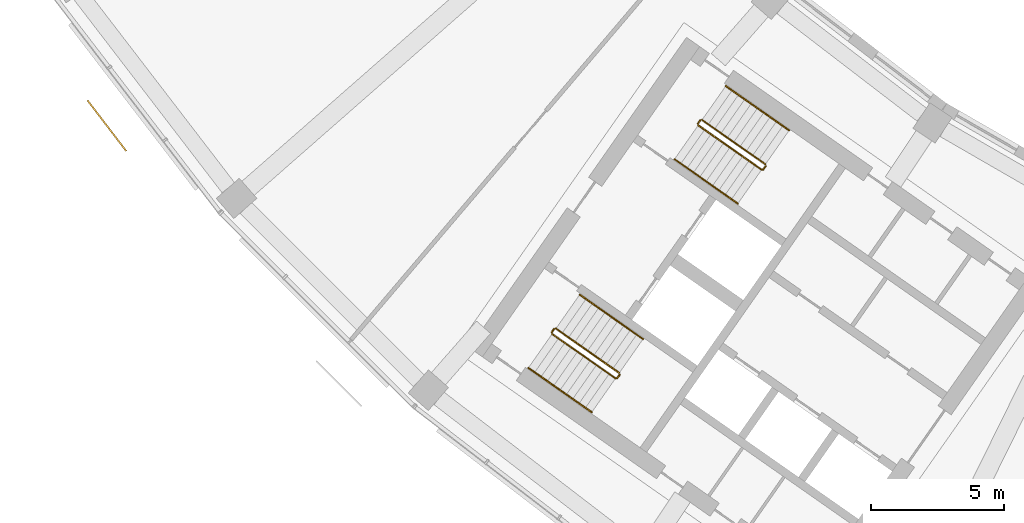
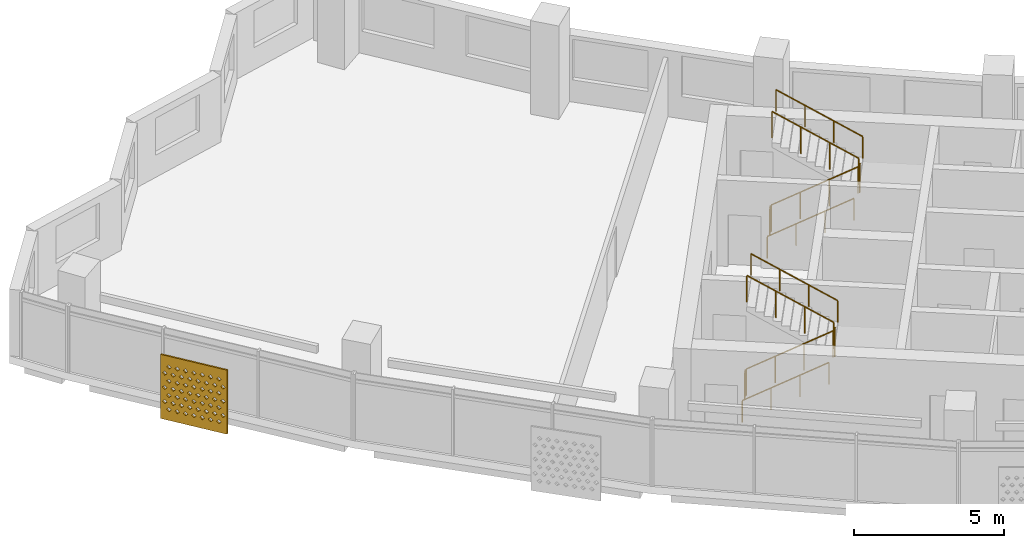
# One storey, part 24 of 28: 10 railings, 1 shading device.
"""IFC4 building model written with IfcOpenShell, lengths in metres."""

from ifc_helpers import new_model, si_unit, direction, frame, origin, origin_2d, place, context, subcontext, project, spatial, polyline, circle, outline, extrude, material, material_profile, profile_set, type_object, element, save


model = new_model("IFC4")

# Units and contexts
model_context = context("Model", 3, precision=1e-05, world=origin(), true_north=direction((0.0, 1.0)))
body_context = subcontext(model_context, "Body", "Model", "MODEL_VIEW")
ifc_project = project(units=[si_unit("LENGTHUNIT", "METRE"), si_unit("AREAUNIT", "SQUARE_METRE"), si_unit("VOLUMEUNIT", "CUBIC_METRE"), si_unit("PLANEANGLEUNIT", "RADIAN"), si_unit("MASSUNIT", "GRAM", prefix="KILO")], contexts=[model_context])

# Site, building, storey
site_placement = place(None, origin())
site = spatial("IfcSite", under=ifc_project, at=site_placement, CompositionType="ELEMENT")
building_placement = place(site_placement, origin())
building = spatial("IfcBuilding", under=site, at=building_placement, Name="Qamariyya Broadcast Tower", CompositionType="ELEMENT")
storey_placement = place(building_placement, frame((0.0, 0.0, 215.10009765625)))
storey = spatial("IfcBuildingStorey", under=building, at=storey_placement, Name="L51", CompositionType="ELEMENT", Elevation=215.10009765625)

# Shading device
ifc_material_1 = material(Name="Perforated glazed terracotta", Category="masonry")
ifc_material_profile = material_profile(ifc_material_1, outline(polyline([(-1.199951171875, -1.300048828125), (1.199951171875, -1.300048828125), (1.199951171875, 1.300048828125), (-1.199951171875, 1.300048828125), (-1.199951171875, -1.300048828125)]), holes=[polyline([(-0.81494140625, -0.86669921875), (-0.89990234375, -0.78173828125), (-0.985107421875, -0.86669921875), (-0.89990234375, -0.95166015625), (-0.81494140625, -0.86669921875)]), polyline([(-0.514892578125, -0.86669921875), (-0.60009765625, -0.78173828125), (-0.68505859375, -0.86669921875), (-0.60009765625, -0.95166015625), (-0.514892578125, -0.86669921875)]), polyline([(-0.215087890625, -0.86669921875), (-0.300048828125, -0.78173828125), (-0.385009765625, -0.86669921875), (-0.300048828125, -0.95166015625), (-0.215087890625, -0.86669921875)]), polyline([(0.0849609375, -0.86669921875), (0.0, -0.78173828125), (-0.0849609375, -0.86669921875), (0.0, -0.95166015625), (0.0849609375, -0.86669921875)]), polyline([(0.385009765625, -0.86669921875), (0.300048828125, -0.78173828125), (0.215087890625, -0.86669921875), (0.300048828125, -0.95166015625), (0.385009765625, -0.86669921875)]), polyline([(0.68505859375, -0.86669921875), (0.60009765625, -0.78173828125), (0.514892578125, -0.86669921875), (0.60009765625, -0.95166015625), (0.68505859375, -0.86669921875)]), polyline([(0.985107421875, -0.86669921875), (0.89990234375, -0.78173828125), (0.81494140625, -0.86669921875), (0.89990234375, -0.95166015625), (0.985107421875, -0.86669921875)]), polyline([(-0.965087890625, -0.577880859375), (-1.050048828125, -0.49267578125), (-1.135009765625, -0.577880859375), (-1.050048828125, -0.662841796875), (-0.965087890625, -0.577880859375)]), polyline([(-0.6650390625, -0.577880859375), (-0.75, -0.49267578125), (-0.8349609375, -0.577880859375), (-0.75, -0.662841796875), (-0.6650390625, -0.577880859375)]), polyline([(-0.364990234375, -0.577880859375), (-0.449951171875, -0.49267578125), (-0.534912109375, -0.577880859375), (-0.449951171875, -0.662841796875), (-0.364990234375, -0.577880859375)]), polyline([(-0.06494140625, -0.577880859375), (-0.14990234375, -0.49267578125), (-0.235107421875, -0.577880859375), (-0.14990234375, -0.662841796875), (-0.06494140625, -0.577880859375)]), polyline([(0.235107421875, -0.577880859375), (0.14990234375, -0.49267578125), (0.06494140625, -0.577880859375), (0.14990234375, -0.662841796875), (0.235107421875, -0.577880859375)]), polyline([(0.534912109375, -0.577880859375), (0.449951171875, -0.49267578125), (0.364990234375, -0.577880859375), (0.449951171875, -0.662841796875), (0.534912109375, -0.577880859375)]), polyline([(0.8349609375, -0.577880859375), (0.75, -0.49267578125), (0.6650390625, -0.577880859375), (0.75, -0.662841796875), (0.8349609375, -0.577880859375)]), polyline([(1.135009765625, -0.577880859375), (1.050048828125, -0.49267578125), (0.965087890625, -0.577880859375), (1.050048828125, -0.662841796875), (1.135009765625, -0.577880859375)]), polyline([(-0.81494140625, -0.288818359375), (-0.89990234375, -0.203857421875), (-0.985107421875, -0.288818359375), (-0.89990234375, -0.373779296875), (-0.81494140625, -0.288818359375)]), polyline([(-0.514892578125, -0.288818359375), (-0.60009765625, -0.203857421875), (-0.68505859375, -0.288818359375), (-0.60009765625, -0.373779296875), (-0.514892578125, -0.288818359375)]), polyline([(-0.215087890625, -0.288818359375), (-0.300048828125, -0.203857421875), (-0.385009765625, -0.288818359375), (-0.300048828125, -0.373779296875), (-0.215087890625, -0.288818359375)]), polyline([(0.0849609375, -0.288818359375), (0.0, -0.203857421875), (-0.0849609375, -0.288818359375), (0.0, -0.373779296875), (0.0849609375, -0.288818359375)]), polyline([(0.385009765625, -0.288818359375), (0.300048828125, -0.203857421875), (0.215087890625, -0.288818359375), (0.300048828125, -0.373779296875), (0.385009765625, -0.288818359375)]), polyline([(0.68505859375, -0.288818359375), (0.60009765625, -0.203857421875), (0.514892578125, -0.288818359375), (0.60009765625, -0.373779296875), (0.68505859375, -0.288818359375)]), polyline([(0.985107421875, -0.288818359375), (0.89990234375, -0.203857421875), (0.81494140625, -0.288818359375), (0.89990234375, -0.373779296875), (0.985107421875, -0.288818359375)]), polyline([(-0.965087890625, 0.0), (-1.050048828125, 0.0849609375), (-1.135009765625, 0.0), (-1.050048828125, -0.0849609375), (-0.965087890625, 0.0)]), polyline([(-0.6650390625, 0.0), (-0.75, 0.0849609375), (-0.8349609375, 0.0), (-0.75, -0.0849609375), (-0.6650390625, 0.0)]), polyline([(-0.364990234375, 0.0), (-0.449951171875, 0.0849609375), (-0.534912109375, 0.0), (-0.449951171875, -0.0849609375), (-0.364990234375, 0.0)]), polyline([(-0.06494140625, 0.0), (-0.14990234375, 0.0849609375), (-0.235107421875, 0.0), (-0.14990234375, -0.0849609375), (-0.06494140625, 0.0)]), polyline([(0.235107421875, 0.0), (0.14990234375, 0.0849609375), (0.06494140625, 0.0), (0.14990234375, -0.0849609375), (0.235107421875, 0.0)]), polyline([(0.534912109375, 0.0), (0.449951171875, 0.0849609375), (0.364990234375, 0.0), (0.449951171875, -0.0849609375), (0.534912109375, 0.0)]), polyline([(0.8349609375, 0.0), (0.75, 0.0849609375), (0.6650390625, 0.0), (0.75, -0.0849609375), (0.8349609375, 0.0)]), polyline([(1.135009765625, 0.0), (1.050048828125, 0.0849609375), (0.965087890625, 0.0), (1.050048828125, -0.0849609375), (1.135009765625, 0.0)]), polyline([(-0.81494140625, 0.288818359375), (-0.89990234375, 0.373779296875), (-0.985107421875, 0.288818359375), (-0.89990234375, 0.203857421875), (-0.81494140625, 0.288818359375)]), polyline([(-0.514892578125, 0.288818359375), (-0.60009765625, 0.373779296875), (-0.68505859375, 0.288818359375), (-0.60009765625, 0.203857421875), (-0.514892578125, 0.288818359375)]), polyline([(-0.215087890625, 0.288818359375), (-0.300048828125, 0.373779296875), (-0.385009765625, 0.288818359375), (-0.300048828125, 0.203857421875), (-0.215087890625, 0.288818359375)]), polyline([(0.0849609375, 0.288818359375), (0.0, 0.373779296875), (-0.0849609375, 0.288818359375), (0.0, 0.203857421875), (0.0849609375, 0.288818359375)]), polyline([(0.385009765625, 0.288818359375), (0.300048828125, 0.373779296875), (0.215087890625, 0.288818359375), (0.300048828125, 0.203857421875), (0.385009765625, 0.288818359375)]), polyline([(0.68505859375, 0.288818359375), (0.60009765625, 0.373779296875), (0.514892578125, 0.288818359375), (0.60009765625, 0.203857421875), (0.68505859375, 0.288818359375)]), polyline([(0.985107421875, 0.288818359375), (0.89990234375, 0.373779296875), (0.81494140625, 0.288818359375), (0.89990234375, 0.203857421875), (0.985107421875, 0.288818359375)]), polyline([(-0.965087890625, 0.577880859375), (-1.050048828125, 0.662841796875), (-1.135009765625, 0.577880859375), (-1.050048828125, 0.49267578125), (-0.965087890625, 0.577880859375)]), polyline([(-0.6650390625, 0.577880859375), (-0.75, 0.662841796875), (-0.8349609375, 0.577880859375), (-0.75, 0.49267578125), (-0.6650390625, 0.577880859375)]), polyline([(-0.364990234375, 0.577880859375), (-0.449951171875, 0.662841796875), (-0.534912109375, 0.577880859375), (-0.449951171875, 0.49267578125), (-0.364990234375, 0.577880859375)]), polyline([(-0.06494140625, 0.577880859375), (-0.14990234375, 0.662841796875), (-0.235107421875, 0.577880859375), (-0.14990234375, 0.49267578125), (-0.06494140625, 0.577880859375)]), polyline([(0.235107421875, 0.577880859375), (0.14990234375, 0.662841796875), (0.06494140625, 0.577880859375), (0.14990234375, 0.49267578125), (0.235107421875, 0.577880859375)]), polyline([(0.534912109375, 0.577880859375), (0.449951171875, 0.662841796875), (0.364990234375, 0.577880859375), (0.449951171875, 0.49267578125), (0.534912109375, 0.577880859375)]), polyline([(0.8349609375, 0.577880859375), (0.75, 0.662841796875), (0.6650390625, 0.577880859375), (0.75, 0.49267578125), (0.8349609375, 0.577880859375)]), polyline([(1.135009765625, 0.577880859375), (1.050048828125, 0.662841796875), (0.965087890625, 0.577880859375), (1.050048828125, 0.49267578125), (1.135009765625, 0.577880859375)]), polyline([(-0.81494140625, 0.86669921875), (-0.89990234375, 0.95166015625), (-0.985107421875, 0.86669921875), (-0.89990234375, 0.78173828125), (-0.81494140625, 0.86669921875)]), polyline([(-0.514892578125, 0.86669921875), (-0.60009765625, 0.95166015625), (-0.68505859375, 0.86669921875), (-0.60009765625, 0.78173828125), (-0.514892578125, 0.86669921875)]), polyline([(-0.215087890625, 0.86669921875), (-0.300048828125, 0.95166015625), (-0.385009765625, 0.86669921875), (-0.300048828125, 0.78173828125), (-0.215087890625, 0.86669921875)]), polyline([(0.0849609375, 0.86669921875), (0.0, 0.95166015625), (-0.0849609375, 0.86669921875), (0.0, 0.78173828125), (0.0849609375, 0.86669921875)]), polyline([(0.385009765625, 0.86669921875), (0.300048828125, 0.95166015625), (0.215087890625, 0.86669921875), (0.300048828125, 0.78173828125), (0.385009765625, 0.86669921875)]), polyline([(0.68505859375, 0.86669921875), (0.60009765625, 0.95166015625), (0.514892578125, 0.86669921875), (0.60009765625, 0.78173828125), (0.68505859375, 0.86669921875)]), polyline([(0.985107421875, 0.86669921875), (0.89990234375, 0.95166015625), (0.81494140625, 0.86669921875), (0.89990234375, 0.78173828125), (0.985107421875, 0.86669921875)])]))
ifc_profile_set = profile_set([ifc_material_profile], Name="Perforated glazed terracotta")
shading_device_type = type_object("IfcShadingDeviceType", Name="Perforated terracotta screen 2400 x 2600", PredefinedType="USERDEFINED", material=ifc_profile_set)
shading_device_placement = place(storey_placement, frame((-63.293212890625, -48.521240234375, 1.349853515625), z_axis=(-0.794589096806, -0.607147566278, 0.0), x_axis=(0.607147566278, -0.794589096806, 0.0)))
element("IfcShadingDevice", 1, at=shading_device_placement, inside=storey, type_object=shading_device_type, Name="e-scr-L51-01-1", ObjectType="SCREEN", PredefinedType="USERDEFINED", context=body_context, shape_type="SweptSolid", body=[
    extrude(outline(polyline([(-1.199951171875, -1.300048828125), (1.199951171875, -1.300048828125), (1.199951171875, 1.300048828125), (-1.199951171875, 1.300048828125), (-1.199951171875, -1.300048828125)]), holes=[polyline([(-0.81494140625, -0.86669921875), (-0.89990234375, -0.78173828125), (-0.985107421875, -0.86669921875), (-0.89990234375, -0.95166015625), (-0.81494140625, -0.86669921875)]), polyline([(-0.514892578125, -0.86669921875), (-0.60009765625, -0.78173828125), (-0.68505859375, -0.86669921875), (-0.60009765625, -0.95166015625), (-0.514892578125, -0.86669921875)]), polyline([(-0.215087890625, -0.86669921875), (-0.300048828125, -0.78173828125), (-0.385009765625, -0.86669921875), (-0.300048828125, -0.95166015625), (-0.215087890625, -0.86669921875)]), polyline([(0.0849609375, -0.86669921875), (0.0, -0.78173828125), (-0.0849609375, -0.86669921875), (0.0, -0.95166015625), (0.0849609375, -0.86669921875)]), polyline([(0.385009765625, -0.86669921875), (0.300048828125, -0.78173828125), (0.215087890625, -0.86669921875), (0.300048828125, -0.95166015625), (0.385009765625, -0.86669921875)]), polyline([(0.68505859375, -0.86669921875), (0.60009765625, -0.78173828125), (0.514892578125, -0.86669921875), (0.60009765625, -0.95166015625), (0.68505859375, -0.86669921875)]), polyline([(0.985107421875, -0.86669921875), (0.89990234375, -0.78173828125), (0.81494140625, -0.86669921875), (0.89990234375, -0.95166015625), (0.985107421875, -0.86669921875)]), polyline([(-0.965087890625, -0.577880859375), (-1.050048828125, -0.49267578125), (-1.135009765625, -0.577880859375), (-1.050048828125, -0.662841796875), (-0.965087890625, -0.577880859375)]), polyline([(-0.6650390625, -0.577880859375), (-0.75, -0.49267578125), (-0.8349609375, -0.577880859375), (-0.75, -0.662841796875), (-0.6650390625, -0.577880859375)]), polyline([(-0.364990234375, -0.577880859375), (-0.449951171875, -0.49267578125), (-0.534912109375, -0.577880859375), (-0.449951171875, -0.662841796875), (-0.364990234375, -0.577880859375)]), polyline([(-0.06494140625, -0.577880859375), (-0.14990234375, -0.49267578125), (-0.235107421875, -0.577880859375), (-0.14990234375, -0.662841796875), (-0.06494140625, -0.577880859375)]), polyline([(0.235107421875, -0.577880859375), (0.14990234375, -0.49267578125), (0.06494140625, -0.577880859375), (0.14990234375, -0.662841796875), (0.235107421875, -0.577880859375)]), polyline([(0.534912109375, -0.577880859375), (0.449951171875, -0.49267578125), (0.364990234375, -0.577880859375), (0.449951171875, -0.662841796875), (0.534912109375, -0.577880859375)]), polyline([(0.8349609375, -0.577880859375), (0.75, -0.49267578125), (0.6650390625, -0.577880859375), (0.75, -0.662841796875), (0.8349609375, -0.577880859375)]), polyline([(1.135009765625, -0.577880859375), (1.050048828125, -0.49267578125), (0.965087890625, -0.577880859375), (1.050048828125, -0.662841796875), (1.135009765625, -0.577880859375)]), polyline([(-0.81494140625, -0.288818359375), (-0.89990234375, -0.203857421875), (-0.985107421875, -0.288818359375), (-0.89990234375, -0.373779296875), (-0.81494140625, -0.288818359375)]), polyline([(-0.514892578125, -0.288818359375), (-0.60009765625, -0.203857421875), (-0.68505859375, -0.288818359375), (-0.60009765625, -0.373779296875), (-0.514892578125, -0.288818359375)]), polyline([(-0.215087890625, -0.288818359375), (-0.300048828125, -0.203857421875), (-0.385009765625, -0.288818359375), (-0.300048828125, -0.373779296875), (-0.215087890625, -0.288818359375)]), polyline([(0.0849609375, -0.288818359375), (0.0, -0.203857421875), (-0.0849609375, -0.288818359375), (0.0, -0.373779296875), (0.0849609375, -0.288818359375)]), polyline([(0.385009765625, -0.288818359375), (0.300048828125, -0.203857421875), (0.215087890625, -0.288818359375), (0.300048828125, -0.373779296875), (0.385009765625, -0.288818359375)]), polyline([(0.68505859375, -0.288818359375), (0.60009765625, -0.203857421875), (0.514892578125, -0.288818359375), (0.60009765625, -0.373779296875), (0.68505859375, -0.288818359375)]), polyline([(0.985107421875, -0.288818359375), (0.89990234375, -0.203857421875), (0.81494140625, -0.288818359375), (0.89990234375, -0.373779296875), (0.985107421875, -0.288818359375)]), polyline([(-0.965087890625, 0.0), (-1.050048828125, 0.0849609375), (-1.135009765625, 0.0), (-1.050048828125, -0.0849609375), (-0.965087890625, 0.0)]), polyline([(-0.6650390625, 0.0), (-0.75, 0.0849609375), (-0.8349609375, 0.0), (-0.75, -0.0849609375), (-0.6650390625, 0.0)]), polyline([(-0.364990234375, 0.0), (-0.449951171875, 0.0849609375), (-0.534912109375, 0.0), (-0.449951171875, -0.0849609375), (-0.364990234375, 0.0)]), polyline([(-0.06494140625, 0.0), (-0.14990234375, 0.0849609375), (-0.235107421875, 0.0), (-0.14990234375, -0.0849609375), (-0.06494140625, 0.0)]), polyline([(0.235107421875, 0.0), (0.14990234375, 0.0849609375), (0.06494140625, 0.0), (0.14990234375, -0.0849609375), (0.235107421875, 0.0)]), polyline([(0.534912109375, 0.0), (0.449951171875, 0.0849609375), (0.364990234375, 0.0), (0.449951171875, -0.0849609375), (0.534912109375, 0.0)]), polyline([(0.8349609375, 0.0), (0.75, 0.0849609375), (0.6650390625, 0.0), (0.75, -0.0849609375), (0.8349609375, 0.0)]), polyline([(1.135009765625, 0.0), (1.050048828125, 0.0849609375), (0.965087890625, 0.0), (1.050048828125, -0.0849609375), (1.135009765625, 0.0)]), polyline([(-0.81494140625, 0.288818359375), (-0.89990234375, 0.373779296875), (-0.985107421875, 0.288818359375), (-0.89990234375, 0.203857421875), (-0.81494140625, 0.288818359375)]), polyline([(-0.514892578125, 0.288818359375), (-0.60009765625, 0.373779296875), (-0.68505859375, 0.288818359375), (-0.60009765625, 0.203857421875), (-0.514892578125, 0.288818359375)]), polyline([(-0.215087890625, 0.288818359375), (-0.300048828125, 0.373779296875), (-0.385009765625, 0.288818359375), (-0.300048828125, 0.203857421875), (-0.215087890625, 0.288818359375)]), polyline([(0.0849609375, 0.288818359375), (0.0, 0.373779296875), (-0.0849609375, 0.288818359375), (0.0, 0.203857421875), (0.0849609375, 0.288818359375)]), polyline([(0.385009765625, 0.288818359375), (0.300048828125, 0.373779296875), (0.215087890625, 0.288818359375), (0.300048828125, 0.203857421875), (0.385009765625, 0.288818359375)]), polyline([(0.68505859375, 0.288818359375), (0.60009765625, 0.373779296875), (0.514892578125, 0.288818359375), (0.60009765625, 0.203857421875), (0.68505859375, 0.288818359375)]), polyline([(0.985107421875, 0.288818359375), (0.89990234375, 0.373779296875), (0.81494140625, 0.288818359375), (0.89990234375, 0.203857421875), (0.985107421875, 0.288818359375)]), polyline([(-0.965087890625, 0.577880859375), (-1.050048828125, 0.662841796875), (-1.135009765625, 0.577880859375), (-1.050048828125, 0.49267578125), (-0.965087890625, 0.577880859375)]), polyline([(-0.6650390625, 0.577880859375), (-0.75, 0.662841796875), (-0.8349609375, 0.577880859375), (-0.75, 0.49267578125), (-0.6650390625, 0.577880859375)]), polyline([(-0.364990234375, 0.577880859375), (-0.449951171875, 0.662841796875), (-0.534912109375, 0.577880859375), (-0.449951171875, 0.49267578125), (-0.364990234375, 0.577880859375)]), polyline([(-0.06494140625, 0.577880859375), (-0.14990234375, 0.662841796875), (-0.235107421875, 0.577880859375), (-0.14990234375, 0.49267578125), (-0.06494140625, 0.577880859375)]), polyline([(0.235107421875, 0.577880859375), (0.14990234375, 0.662841796875), (0.06494140625, 0.577880859375), (0.14990234375, 0.49267578125), (0.235107421875, 0.577880859375)]), polyline([(0.534912109375, 0.577880859375), (0.449951171875, 0.662841796875), (0.364990234375, 0.577880859375), (0.449951171875, 0.49267578125), (0.534912109375, 0.577880859375)]), polyline([(0.8349609375, 0.577880859375), (0.75, 0.662841796875), (0.6650390625, 0.577880859375), (0.75, 0.49267578125), (0.8349609375, 0.577880859375)]), polyline([(1.135009765625, 0.577880859375), (1.050048828125, 0.662841796875), (0.965087890625, 0.577880859375), (1.050048828125, 0.49267578125), (1.135009765625, 0.577880859375)]), polyline([(-0.81494140625, 0.86669921875), (-0.89990234375, 0.95166015625), (-0.985107421875, 0.86669921875), (-0.89990234375, 0.78173828125), (-0.81494140625, 0.86669921875)]), polyline([(-0.514892578125, 0.86669921875), (-0.60009765625, 0.95166015625), (-0.68505859375, 0.86669921875), (-0.60009765625, 0.78173828125), (-0.514892578125, 0.86669921875)]), polyline([(-0.215087890625, 0.86669921875), (-0.300048828125, 0.95166015625), (-0.385009765625, 0.86669921875), (-0.300048828125, 0.78173828125), (-0.215087890625, 0.86669921875)]), polyline([(0.0849609375, 0.86669921875), (0.0, 0.95166015625), (-0.0849609375, 0.86669921875), (0.0, 0.78173828125), (0.0849609375, 0.86669921875)]), polyline([(0.385009765625, 0.86669921875), (0.300048828125, 0.95166015625), (0.215087890625, 0.86669921875), (0.300048828125, 0.78173828125), (0.385009765625, 0.86669921875)]), polyline([(0.68505859375, 0.86669921875), (0.60009765625, 0.95166015625), (0.514892578125, 0.86669921875), (0.60009765625, 0.78173828125), (0.68505859375, 0.86669921875)]), polyline([(0.985107421875, 0.86669921875), (0.89990234375, 0.95166015625), (0.81494140625, 0.86669921875), (0.89990234375, 0.78173828125), (0.985107421875, 0.86669921875)])]), origin(), (0.0, 0.0, 1.0), 0.059814453125),
])

# Railings
ifc_material_2 = material(Name="Painted steel", Category="steel")
railing_type_1 = type_object("IfcRailingType", Name="Stair guard", PredefinedType="GUARDRAIL", material=ifc_material_2)
railing_1_placement = place(storey_placement, frame((-41.146728515625, -48.52490234375, 0.172607421875)))
element("IfcRailing", 2, at=railing_1_placement, inside=storey, type_object=railing_type_1, Name="L51 ST-W2 stair guard 1", PredefinedType="GUARDRAIL", context=body_context, shape_type="SweptSolid", body=[
    extrude(circle(Radius=0.02392578125, at=origin_2d()), frame((0.0, 0.0, 1.076171875), z_axis=(0.703770094002, -0.492783725636, 0.511734163933), x_axis=(0.573575343427, 0.819152809562, 0.0)), (0.0, 0.0, 1.0), 3.37548828125),
    extrude(circle(Radius=0.02392578125, at=origin_2d()), frame((2.37548828125, -1.663330078125, 2.80322265625), z_axis=(0.985059694769, 0.172213233351, 0.0), x_axis=(-0.172213233351, 0.985059694769, 0.0)), (0.0, 0.0, 1.0), 0.07080078125),
    extrude(circle(Radius=0.02392578125, at=origin_2d()), frame((2.4453125, -1.651123046875, 2.80322265625), z_axis=(0.572588637393, 0.819842821722, 0.0), x_axis=(-0.819842821722, 0.572588637393, 0.0)), (0.0, 0.0, 1.0), 0.150146484375),
    extrude(circle(Radius=0.02099609375, at=origin_2d()), origin(), (0.0, 0.0, 1.0), 1.052001953125),
    extrude(circle(Radius=0.02099609375, at=origin_2d()), frame((0.791748046875, -0.554443359375, 0.57568359375)), (0.0, 0.0, 1.0), 1.052001953125),
    extrude(circle(Radius=0.02099609375, at=origin_2d()), frame((1.583740234375, -1.10888671875, 1.151611328125)), (0.0, 0.0, 1.0), 1.052001953125),
    extrude(circle(Radius=0.02099609375, at=origin_2d()), frame((2.37548828125, -1.663330078125, 1.727294921875)), (0.0, 0.0, 1.0), 1.052001953125),
    extrude(circle(Radius=0.02099609375, at=origin_2d()), frame((2.4453125, -1.651123046875, 1.727294921875)), (0.0, 0.0, 1.0), 1.052001953125),
    extrude(circle(Radius=0.02099609375, at=origin_2d()), frame((2.53125, -1.528076171875, 1.727294921875)), (0.0, 0.0, 1.0), 1.052001953125),
])
railing_2_placement = place(storey_placement, frame((-38.627685546875, -49.9833984375, 2.072509765625)))
element("IfcRailing", 3, at=railing_2_placement, inside=storey, type_object=railing_type_1, Name="L51 ST-W2 stair guard 2", PredefinedType="GUARDRAIL", context=body_context, shape_type="SweptSolid", body=[
    extrude(circle(Radius=0.02392578125, at=origin_2d()), frame((0.0, 0.0, 1.076171875), z_axis=(-0.703770094002, 0.492783725636, 0.511734163933), x_axis=(-0.573575343427, -0.819152809562, 0.0)), (0.0, 0.0, 1.0), 3.37548828125),
    extrude(circle(Radius=0.02099609375, at=origin_2d()), origin(), (0.0, 0.0, 1.0), 1.052001953125),
    extrude(circle(Radius=0.02099609375, at=origin_2d()), frame((-0.791748046875, 0.554443359375, 0.57568359375)), (0.0, 0.0, 1.0), 1.052001953125),
    extrude(circle(Radius=0.02099609375, at=origin_2d()), frame((-1.583740234375, 1.10888671875, 1.151611328125)), (0.0, 0.0, 1.0), 1.052001953125),
    extrude(circle(Radius=0.02099609375, at=origin_2d()), frame((-2.37548828125, 1.663330078125, 1.727294921875)), (0.0, 0.0, 1.0), 1.052001953125),
])
railing_3_placement = place(storey_placement, frame((-41.158935546875, -48.455322265625, 0.0)))
element("IfcRailing", 4, at=railing_3_placement, inside=storey, type_object=railing_type_1, Name="L51 ST-W2 stair guard 3", PredefinedType="GUARDRAIL", context=body_context, shape_type="SweptSolid", body=[
    extrude(circle(Radius=0.02392578125, at=origin_2d()), frame((0.0, 0.0, 1.076171875), z_axis=(0.572588637393, 0.819842821722, 0.0), x_axis=(-0.819842821722, 0.572588637393, 0.0)), (0.0, 0.0, 1.0), 0.150146484375),
    extrude(circle(Radius=0.02099609375, at=origin_2d()), origin(), (0.0, 0.0, 1.0), 1.052001953125),
    extrude(circle(Radius=0.02099609375, at=origin_2d()), frame((0.0859375, 0.123046875, 0.0)), (0.0, 0.0, 1.0), 1.052001953125),
])
railing_4_placement = place(storey_placement, frame((-46.624267578125, -56.34765625, 0.172607421875)))
element("IfcRailing", 5, at=railing_4_placement, inside=storey, type_object=railing_type_1, Name="L51 ST-W1 stair guard 1", PredefinedType="GUARDRAIL", context=body_context, shape_type="SweptSolid", body=[
    extrude(circle(Radius=0.02392578125, at=origin_2d()), frame((0.0, 0.0, 1.076171875), z_axis=(0.703745009021, -0.492838488332, 0.511715923826), x_axis=(0.573631830683, 0.819113253969, 0.0)), (0.0, 0.0, 1.0), 3.37548828125),
    extrude(circle(Radius=0.02392578125, at=origin_2d()), frame((2.37548828125, -1.66357421875, 2.80322265625), z_axis=(0.984363469884, 0.176149252506, 0.0), x_axis=(-0.176149252506, 0.984363469884, 0.0)), (0.0, 0.0, 1.0), 0.07080078125),
    extrude(circle(Radius=0.02392578125, at=origin_2d()), frame((2.445068359375, -1.651123046875, 2.80322265625), z_axis=(0.574444878118, 0.818543268254, 0.0), x_axis=(-0.818543268254, 0.574444878118, 0.0)), (0.0, 0.0, 1.0), 0.150146484375),
    extrude(circle(Radius=0.02099609375, at=origin_2d()), origin(), (0.0, 0.0, 1.0), 1.052001953125),
    extrude(circle(Radius=0.02099609375, at=origin_2d()), frame((0.791748046875, -0.554443359375, 0.57568359375)), (0.0, 0.0, 1.0), 1.052001953125),
    extrude(circle(Radius=0.02099609375, at=origin_2d()), frame((1.583740234375, -1.109130859375, 1.151611328125)), (0.0, 0.0, 1.0), 1.052001953125),
    extrude(circle(Radius=0.02099609375, at=origin_2d()), frame((2.37548828125, -1.66357421875, 1.727294921875)), (0.0, 0.0, 1.0), 1.052001953125),
    extrude(circle(Radius=0.02099609375, at=origin_2d()), frame((2.445068359375, -1.651123046875, 1.727294921875)), (0.0, 0.0, 1.0), 1.052001953125),
    extrude(circle(Radius=0.02099609375, at=origin_2d()), frame((2.53125, -1.5283203125, 1.727294921875)), (0.0, 0.0, 1.0), 1.052001953125),
])
railing_5_placement = place(storey_placement, frame((-44.10546875, -57.806396484375, 2.072509765625)))
element("IfcRailing", 6, at=railing_5_placement, inside=storey, type_object=railing_type_1, Name="L51 ST-W1 stair guard 2", PredefinedType="GUARDRAIL", context=body_context, shape_type="SweptSolid", body=[
    extrude(circle(Radius=0.02392578125, at=origin_2d()), frame((0.0, 0.0, 1.076171875), z_axis=(-0.703770094002, 0.492783725636, 0.511734163933), x_axis=(-0.573575343427, -0.819152809562, 0.0)), (0.0, 0.0, 1.0), 3.37548828125),
    extrude(circle(Radius=0.02099609375, at=origin_2d()), origin(), (0.0, 0.0, 1.0), 1.052001953125),
    extrude(circle(Radius=0.02099609375, at=origin_2d()), frame((-0.791748046875, 0.554443359375, 0.57568359375)), (0.0, 0.0, 1.0), 1.052001953125),
    extrude(circle(Radius=0.02099609375, at=origin_2d()), frame((-1.583740234375, 1.10888671875, 1.151611328125)), (0.0, 0.0, 1.0), 1.052001953125),
    extrude(circle(Radius=0.02099609375, at=origin_2d()), frame((-2.37548828125, 1.663330078125, 1.727294921875)), (0.0, 0.0, 1.0), 1.052001953125),
])
railing_6_placement = place(storey_placement, frame((-46.63671875, -56.278076171875, 0.0)))
element("IfcRailing", 7, at=railing_6_placement, inside=storey, type_object=railing_type_1, Name="L51 ST-W1 stair guard 3", PredefinedType="GUARDRAIL", context=body_context, shape_type="SweptSolid", body=[
    extrude(circle(Radius=0.02392578125, at=origin_2d()), frame((0.0, 0.0, 1.076171875), z_axis=(0.574444878118, 0.818543268254, 0.0), x_axis=(-0.818543268254, 0.574444878118, 0.0)), (0.0, 0.0, 1.0), 0.150146484375),
    extrude(circle(Radius=0.02099609375, at=origin_2d()), origin(), (0.0, 0.0, 1.0), 1.052001953125),
    extrude(circle(Radius=0.02099609375, at=origin_2d()), frame((0.086181640625, 0.122802734375, 0.0)), (0.0, 0.0, 1.0), 1.052001953125),
])
ifc_material_3 = material(Name="Stainless steel", Category="steel")
railing_type_2 = type_object("IfcRailingType", Name="Stair handrail", PredefinedType="HANDRAIL", material=ifc_material_3)
railing_7_placement = place(storey_placement, frame((-42.03564453125, -49.79443359375, 0.172607421875)))
element("IfcRailing", 8, at=railing_7_placement, inside=storey, type_object=railing_type_2, Name="L51 ST-W2 stair handrail 1", PredefinedType="HANDRAIL", context=body_context, shape_type="SweptSolid", body=[
    extrude(circle(Radius=0.02392578125, at=origin_2d()), frame((0.0, 0.0, 0.8759765625), z_axis=(0.703745009021, -0.492838488332, 0.511715923826), x_axis=(0.573631830683, 0.819113253969, 0.0)), (0.0, 0.0, 1.0), 3.37548828125),
    extrude(circle(Radius=0.02099609375, at=origin_2d()), origin(), (0.0, 0.0, 1.0), 0.851806640625),
    extrude(circle(Radius=0.02099609375, at=origin_2d()), frame((0.791748046875, -0.554443359375, 0.57568359375)), (0.0, 0.0, 1.0), 0.851806640625),
    extrude(circle(Radius=0.02099609375, at=origin_2d()), frame((1.583740234375, -1.109130859375, 1.151611328125)), (0.0, 0.0, 1.0), 0.851806640625),
    extrude(circle(Radius=0.02099609375, at=origin_2d()), frame((2.37548828125, -1.66357421875, 1.727294921875)), (0.0, 0.0, 1.0), 0.851806640625),
])
railing_8_placement = place(storey_placement, frame((-37.73876953125, -48.7138671875, 2.072509765625)))
element("IfcRailing", 9, at=railing_8_placement, inside=storey, type_object=railing_type_2, Name="L51 ST-W2 stair handrail 2", PredefinedType="HANDRAIL", context=body_context, shape_type="SweptSolid", body=[
    extrude(circle(Radius=0.02392578125, at=origin_2d()), frame((0.0, 0.0, 0.8759765625), z_axis=(-0.703745009021, 0.492838488332, 0.511715923826), x_axis=(-0.573631830683, -0.819113253969, 0.0)), (0.0, 0.0, 1.0), 3.37548828125),
    extrude(circle(Radius=0.02099609375, at=origin_2d()), origin(), (0.0, 0.0, 1.0), 0.851806640625),
    extrude(circle(Radius=0.02099609375, at=origin_2d()), frame((-0.791748046875, 0.554443359375, 0.57568359375)), (0.0, 0.0, 1.0), 0.851806640625),
    extrude(circle(Radius=0.02099609375, at=origin_2d()), frame((-1.583740234375, 1.109130859375, 1.151611328125)), (0.0, 0.0, 1.0), 0.851806640625),
    extrude(circle(Radius=0.02099609375, at=origin_2d()), frame((-2.37548828125, 1.66357421875, 1.727294921875)), (0.0, 0.0, 1.0), 0.851806640625),
])
railing_9_placement = place(storey_placement, frame((-47.513427734375, -57.617431640625, 0.172607421875)))
element("IfcRailing", 10, at=railing_9_placement, inside=storey, type_object=railing_type_2, Name="L51 ST-W1 stair handrail 1", PredefinedType="HANDRAIL", context=body_context, shape_type="SweptSolid", body=[
    extrude(circle(Radius=0.02392578125, at=origin_2d()), frame((0.0, 0.0, 0.8759765625), z_axis=(0.703770094002, -0.492783725636, 0.511734163933), x_axis=(0.573575343427, 0.819152809562, 0.0)), (0.0, 0.0, 1.0), 3.37548828125),
    extrude(circle(Radius=0.02099609375, at=origin_2d()), origin(), (0.0, 0.0, 1.0), 0.851806640625),
    extrude(circle(Radius=0.02099609375, at=origin_2d()), frame((0.791748046875, -0.554443359375, 0.57568359375)), (0.0, 0.0, 1.0), 0.851806640625),
    extrude(circle(Radius=0.02099609375, at=origin_2d()), frame((1.583740234375, -1.10888671875, 1.151611328125)), (0.0, 0.0, 1.0), 0.851806640625),
    extrude(circle(Radius=0.02099609375, at=origin_2d()), frame((2.37548828125, -1.663330078125, 1.727294921875)), (0.0, 0.0, 1.0), 0.851806640625),
])
railing_10_placement = place(storey_placement, frame((-43.21630859375, -56.53662109375, 2.072509765625)))
element("IfcRailing", 11, at=railing_10_placement, inside=storey, type_object=railing_type_2, Name="L51 ST-W1 stair handrail 2", PredefinedType="HANDRAIL", context=body_context, shape_type="SweptSolid", body=[
    extrude(circle(Radius=0.02392578125, at=origin_2d()), frame((0.0, 0.0, 0.8759765625), z_axis=(-0.703770094002, 0.492783725636, 0.511734163933), x_axis=(-0.573575343427, -0.819152809562, 0.0)), (0.0, 0.0, 1.0), 3.37548828125),
    extrude(circle(Radius=0.02099609375, at=origin_2d()), origin(), (0.0, 0.0, 1.0), 0.851806640625),
    extrude(circle(Radius=0.02099609375, at=origin_2d()), frame((-0.791748046875, 0.554443359375, 0.57568359375)), (0.0, 0.0, 1.0), 0.851806640625),
    extrude(circle(Radius=0.02099609375, at=origin_2d()), frame((-1.583740234375, 1.10888671875, 1.151611328125)), (0.0, 0.0, 1.0), 0.851806640625),
    extrude(circle(Radius=0.02099609375, at=origin_2d()), frame((-2.37548828125, 1.663330078125, 1.727294921875)), (0.0, 0.0, 1.0), 0.851806640625),
])

save(model, "model.ifc")
